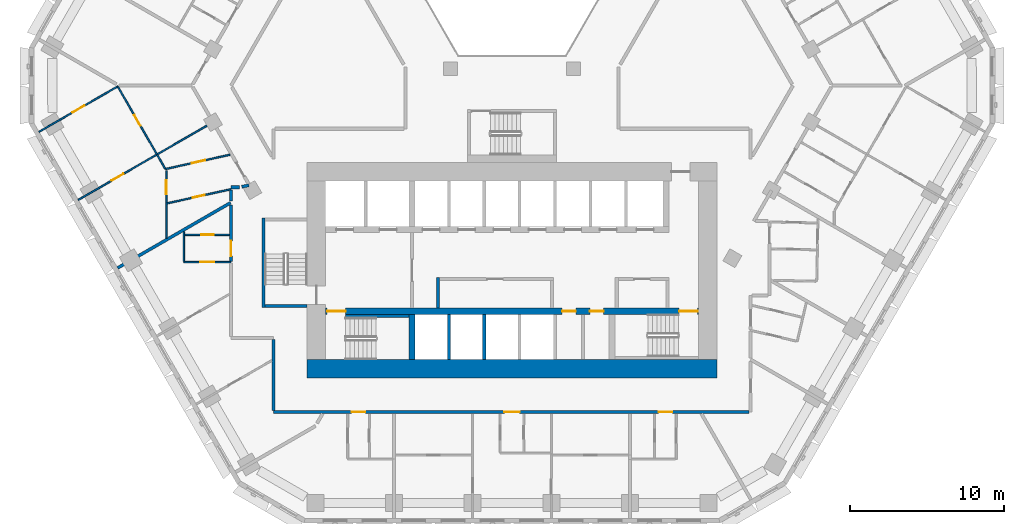
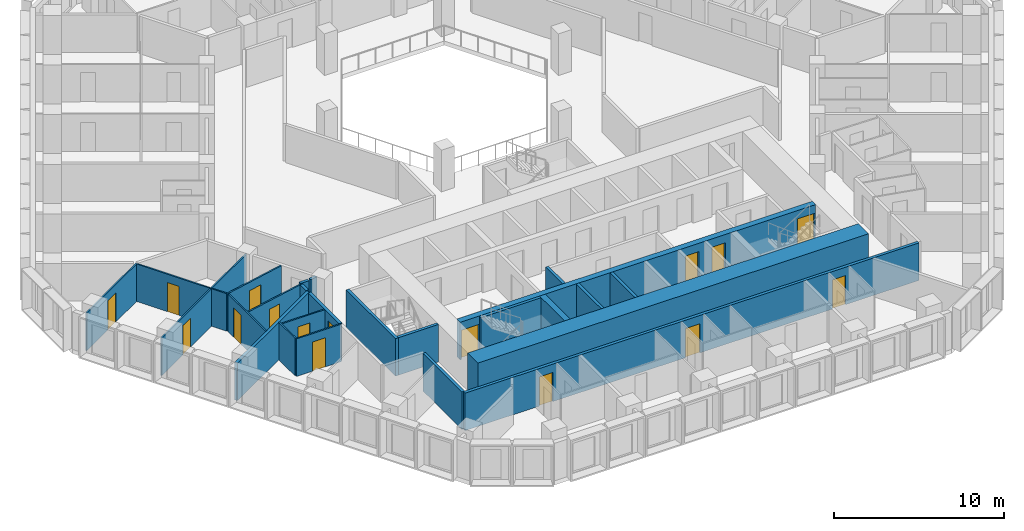
# One storey, part 4 of 21: 26 walls, 16 doors, 16 openings.
"""IFC4 building model written with IfcOpenShell, lengths in metres."""

from ifc_helpers import new_model, si_unit, direction, frame, frame_2d, origin, place, context, subcontext, project, spatial, rectangle, extrude, material, layer, layer_set, type_object, element, fill, save


model = new_model("IFC4")

# Units and contexts
model_context = context("Model", 3, precision=1e-05, world=origin(), true_north=direction((0.0, 1.0)))
body_context = subcontext(model_context, "Body", "Model", "MODEL_VIEW")
ifc_project = project(units=[si_unit("LENGTHUNIT", "METRE"), si_unit("AREAUNIT", "SQUARE_METRE"), si_unit("VOLUMEUNIT", "CUBIC_METRE"), si_unit("PLANEANGLEUNIT", "RADIAN"), si_unit("MASSUNIT", "GRAM", prefix="KILO")], contexts=[model_context])

# Site, building, storey
site_placement = place(None, origin())
site = spatial("IfcSite", under=ifc_project, at=site_placement, CompositionType="ELEMENT")
building_placement = place(site_placement, origin())
building = spatial("IfcBuilding", under=site, at=building_placement, Name="Beryl Residences", CompositionType="ELEMENT")
storey_placement = place(building_placement, frame((0.0, 0.0, 53.39990234375)))
storey = spatial("IfcBuildingStorey", under=building, at=storey_placement, Name="L16", CompositionType="ELEMENT", Elevation=53.39990234375)

# Wall, opening, door
ifc_material_1 = material(Name="Gypsum board partition on steel studs", Category="steel")
ifc_layer_1 = layer(ifc_material_1, 0.10009765625)
ifc_layer_set_1 = layer_set([ifc_layer_1], Name="PT1 partition 100 mm gypsum board on steel studs")
wall_type_1 = type_object("IfcWallType", Name="PT1 partition 100 mm gypsum board on steel studs", PredefinedType="PARTITIONING", material=ifc_layer_set_1)
wall_1_placement = place(storey_placement, frame((-25.580078125, -0.093994140625, 0.0), z_axis=(0.0, 0.0, 1.0), x_axis=(0.500093258202, -0.865971554441, 0.0)))
wall_1 = element("IfcWall", 1, at=wall_1_placement, inside=storey, type_object=wall_type_1, Name="Wall PT1 L16 004", PredefinedType="PARTITIONING", context=body_context, shape_type="SweptSolid", body=[
    extrude(rectangle(XDim=5.05322265625, YDim=0.10009765625, at=frame_2d((2.526611328125, 0.0))), origin(), (0.0, 0.0, 1.0), 2.7001953125),
])
opening_1_placement = place(wall_1_placement, frame((2.10205078125, 0.0, 0.0)))
opening_1 = element("IfcOpeningElement", 2, at=opening_1_placement, cuts=wall_1, Name="Opening D0217", PredefinedType="OPENING", context=body_context, shape_type="SweptSolid", body=[
    extrude(rectangle(XDim=0.800048828125, YDim=2.10009765625, at=frame_2d((0.39990234375, 1.050048828125))), frame((0.0, 0.06005859375, 0.0), z_axis=(0.0, -1.0, 0.0), x_axis=(1.0, 0.0, 0.0)), (0.0, 0.0, 1.0), 0.1201171875),
])
ifc_material_2 = material(Name="Timber door leaf", Category="wood")
door_type_1 = type_object("IfcDoorType", Name="D3 bathroom door 800 x 2100 mm", OperationType="SINGLE_SWING_LEFT", PredefinedType="DOOR", material=ifc_material_2)
door_1_placement = place(opening_1_placement, origin())
door_1 = element("IfcDoor", 3, at=door_1_placement, inside=storey, type_object=door_type_1, Name="Door D0217 L16 001", OperationType="SINGLE_SWING_LEFT", OverallHeight=2.10009765625, OverallWidth=0.800048828125, PredefinedType="DOOR", context=body_context, shape_type="SweptSolid", body=[
    extrude(rectangle(XDim=0.800048828125, YDim=2.10009765625, at=frame_2d((0.39990234375, 1.050048828125))), frame((0.0, 0.02490234375, 0.0), z_axis=(0.0, -1.0, 0.0), x_axis=(1.0, 0.0, 0.0)), (0.0, 0.0, 1.0), 0.050048828125),
])
fill(opening_1, door_1)

# Wall
wall_2_placement = place(storey_placement, frame((-21.31005859375, -9.47412109375, 0.0), z_axis=(0.0, 0.0, 1.0), x_axis=(0.0, -1.0, 0.0)))
element("IfcWall", 4, at=wall_2_placement, inside=storey, type_object=wall_type_1, Name="Wall PT1 L16 012", PredefinedType="PARTITIONING", context=body_context, shape_type="SweptSolid", body=[
    extrude(rectangle(XDim=1.931884765625, YDim=0.10009765625, at=frame_2d((0.9658203125, 0.0))), origin(), (0.0, 0.0, 1.0), 2.7001953125),
])

# Wall, opening, door
wall_3_placement = place(storey_placement, frame((-21.260009765625, -9.68896484375, 0.0), z_axis=(0.0, 0.0, 1.0), x_axis=(1.0, 0.0, 0.0)))
wall_3 = element("IfcWall", 5, at=wall_3_placement, inside=storey, type_object=wall_type_1, Name="Wall PT1 L16 028", PredefinedType="PARTITIONING", context=body_context, shape_type="SweptSolid", body=[
    extrude(rectangle(XDim=2.909912109375, YDim=0.10009765625, at=frame_2d((1.455078125, 0.0))), origin(), (0.0, 0.0, 1.0), 2.7001953125),
])
opening_2_placement = place(wall_3_placement, frame((1.080078125, 0.0, 0.0)))
opening_2 = element("IfcOpeningElement", 6, at=opening_2_placement, cuts=wall_3, Name="Opening D0220", PredefinedType="OPENING", context=body_context, shape_type="SweptSolid", body=[
    extrude(rectangle(XDim=0.800048828125, YDim=2.10009765625, at=frame_2d((0.39990234375, 1.050048828125))), frame((0.0, 0.06005859375, 0.0), z_axis=(0.0, -1.0, 0.0), x_axis=(1.0, 0.0, 0.0)), (0.0, 0.0, 1.0), 0.1201171875),
])
door_2_placement = place(opening_2_placement, origin())
door_2 = element("IfcDoor", 7, at=door_2_placement, inside=storey, type_object=door_type_1, Name="Door D0220 L16 001", OperationType="SINGLE_SWING_RIGHT", OverallHeight=2.10009765625, OverallWidth=0.800048828125, PredefinedType="DOOR", context=body_context, shape_type="SweptSolid", body=[
    extrude(rectangle(XDim=0.800048828125, YDim=2.10009765625, at=frame_2d((0.39990234375, 1.050048828125))), frame((0.0, 0.02490234375, 0.0), z_axis=(0.0, -1.0, 0.0), x_axis=(1.0, 0.0, 0.0)), (0.0, 0.0, 1.0), 0.050048828125),
])
fill(opening_2, door_2)

wall_4_placement = place(storey_placement, frame((-21.30908203125, -11.45703125, 0.0), z_axis=(0.0, 0.0, 1.0), x_axis=(1.0, 0.0, 0.0)))
wall_4 = element("IfcWall", 8, at=wall_4_placement, inside=storey, type_object=wall_type_1, Name="Wall PT1 L16 029", PredefinedType="PARTITIONING", context=body_context, shape_type="SweptSolid", body=[
    extrude(rectangle(XDim=3.05908203125, YDim=0.10009765625, at=frame_2d((1.529541015625, 0.0))), origin(), (0.0, 0.0, 1.0), 2.7001953125),
])
opening_3_placement = place(wall_4_placement, frame((1.0791015625, 0.0, 0.0)))
opening_3 = element("IfcOpeningElement", 9, at=opening_3_placement, cuts=wall_4, Name="Opening D0219", PredefinedType="OPENING", context=body_context, shape_type="SweptSolid", body=[
    extrude(rectangle(XDim=0.89990234375, YDim=2.10009765625, at=frame_2d((0.449951171875, 1.050048828125))), frame((0.0, 0.06005859375, 0.0), z_axis=(0.0, -1.0, 0.0), x_axis=(1.0, 0.0, 0.0)), (0.0, 0.0, 1.0), 0.1201171875),
])
ifc_material_3 = material(Name="Timber door leaf", Category="wood")
door_type_2 = type_object("IfcDoorType", Name="D2 room door 900 x 2100 mm", OperationType="SINGLE_SWING_LEFT", PredefinedType="DOOR", material=ifc_material_3)
door_3_placement = place(opening_3_placement, origin())
door_3 = element("IfcDoor", 10, at=door_3_placement, inside=storey, type_object=door_type_2, Name="Door D0219 L16 001", OperationType="SINGLE_SWING_LEFT", OverallHeight=2.10009765625, OverallWidth=0.89990234375, PredefinedType="DOOR", context=body_context, shape_type="SweptSolid", body=[
    extrude(rectangle(XDim=0.89990234375, YDim=2.10009765625, at=frame_2d((0.449951171875, 1.050048828125))), frame((0.0, 0.02490234375, 0.0), z_axis=(0.0, -1.0, 0.0), x_axis=(1.0, 0.0, 0.0)), (0.0, 0.0, 1.0), 0.050048828125),
])
fill(opening_3, door_3)

wall_5_placement = place(storey_placement, frame((-22.449951171875, -9.90087890625, 0.0), z_axis=(0.0, 0.0, 1.0), x_axis=(0.0, 1.0, 0.0)))
wall_5 = element("IfcWall", 11, at=wall_5_placement, inside=storey, type_object=wall_type_1, Name="Wall PT1 L16 060", PredefinedType="PARTITIONING", context=body_context, shape_type="SweptSolid", body=[
    extrude(rectangle(XDim=4.384765625, YDim=0.10009765625, at=frame_2d((2.1923828125, 0.0))), origin(), (0.0, 0.0, 1.0), 2.7001953125),
])
opening_4_placement = place(wall_5_placement, frame((2.85498046875, 0.0, 0.0)))
opening_4 = element("IfcOpeningElement", 12, at=opening_4_placement, cuts=wall_5, Name="Opening D0214", PredefinedType="OPENING", context=body_context, shape_type="SweptSolid", body=[
    extrude(rectangle(XDim=0.89990234375, YDim=2.10009765625, at=frame_2d((0.449951171875, 1.050048828125))), frame((0.0, 0.06005859375, 0.0), z_axis=(0.0, -1.0, 0.0), x_axis=(1.0, 0.0, 0.0)), (0.0, 0.0, 1.0), 0.1201171875),
])
door_4_placement = place(opening_4_placement, origin())
door_4 = element("IfcDoor", 13, at=door_4_placement, inside=storey, type_object=door_type_2, Name="Door D0214 L16 001", OperationType="SINGLE_SWING_RIGHT", OverallHeight=2.10009765625, OverallWidth=0.89990234375, PredefinedType="DOOR", context=body_context, shape_type="SweptSolid", body=[
    extrude(rectangle(XDim=0.89990234375, YDim=2.10009765625, at=frame_2d((0.449951171875, 1.050048828125))), frame((0.0, 0.02490234375, 0.0), z_axis=(0.0, -1.0, 0.0), x_axis=(1.0, 0.0, 0.0)), (0.0, 0.0, 1.0), 0.050048828125),
])
fill(opening_4, door_4)

wall_6_placement = place(storey_placement, frame((-22.508056640625, -5.416015625, 0.0), z_axis=(0.0, 0.0, 1.0), x_axis=(0.976332464286, 0.216275100696, 0.0)))
wall_6 = element("IfcWall", 14, at=wall_6_placement, inside=storey, type_object=wall_type_1, Name="Wall PT1 L16 062", PredefinedType="PARTITIONING", context=body_context, shape_type="SweptSolid", body=[
    extrude(rectangle(XDim=4.2998046875, YDim=0.10009765625, at=frame_2d((2.14990234375, 0.0))), origin(), (0.0, 0.0, 1.0), 2.7001953125),
])
opening_5_placement = place(wall_6_placement, frame((1.751953125, 0.0, 0.0)))
opening_5 = element("IfcOpeningElement", 15, at=opening_5_placement, cuts=wall_6, Name="Opening D0212", PredefinedType="OPENING", context=body_context, shape_type="SweptSolid", body=[
    extrude(rectangle(XDim=0.89990234375, YDim=2.10009765625, at=frame_2d((0.449951171875, 1.050048828125))), frame((0.0, 0.06005859375, 0.0), z_axis=(0.0, -1.0, 0.0), x_axis=(1.0, 0.0, 0.0)), (0.0, 0.0, 1.0), 0.1201171875),
])
door_5_placement = place(opening_5_placement, origin())
door_5 = element("IfcDoor", 16, at=door_5_placement, inside=storey, type_object=door_type_2, Name="Door D0212 L16 001", OperationType="SINGLE_SWING_RIGHT", OverallHeight=2.10009765625, OverallWidth=0.89990234375, PredefinedType="DOOR", context=body_context, shape_type="SweptSolid", body=[
    extrude(rectangle(XDim=0.89990234375, YDim=2.10009765625, at=frame_2d((0.449951171875, 1.050048828125))), frame((0.0, 0.02490234375, 0.0), z_axis=(0.0, -1.0, 0.0), x_axis=(1.0, 0.0, 0.0)), (0.0, 0.0, 1.0), 0.050048828125),
])
fill(opening_5, door_5)

wall_7_placement = place(storey_placement, frame((-22.39990234375, -7.64501953125, 0.0), z_axis=(0.0, 0.0, 1.0), x_axis=(0.97634896822, 0.216200583385, 0.0)))
wall_7 = element("IfcWall", 17, at=wall_7_placement, inside=storey, type_object=wall_type_1, Name="Wall PT1 L16 063", PredefinedType="PARTITIONING", context=body_context, shape_type="SweptSolid", body=[
    extrude(rectangle(XDim=4.25048828125, YDim=0.10009765625, at=frame_2d((2.125244140625, 0.0))), origin(), (0.0, 0.0, 1.0), 2.7001953125),
])
opening_6_placement = place(wall_7_placement, frame((1.699951171875, 0.0, 0.0)))
opening_6 = element("IfcOpeningElement", 18, at=opening_6_placement, cuts=wall_7, Name="Opening D0213", PredefinedType="OPENING", context=body_context, shape_type="SweptSolid", body=[
    extrude(rectangle(XDim=0.800048828125, YDim=2.10009765625, at=frame_2d((0.39990234375, 1.050048828125))), frame((0.0, 0.06005859375, 0.0), z_axis=(0.0, -1.0, 0.0), x_axis=(1.0, 0.0, 0.0)), (0.0, 0.0, 1.0), 0.1201171875),
])
door_6_placement = place(opening_6_placement, origin())
door_6 = element("IfcDoor", 19, at=door_6_placement, inside=storey, type_object=door_type_1, Name="Door D0213 L16 001", OperationType="SINGLE_SWING_LEFT", OverallHeight=2.10009765625, OverallWidth=0.800048828125, PredefinedType="DOOR", context=body_context, shape_type="SweptSolid", body=[
    extrude(rectangle(XDim=0.800048828125, YDim=2.10009765625, at=frame_2d((0.39990234375, 1.050048828125))), frame((0.0, 0.02490234375, 0.0), z_axis=(0.0, -1.0, 0.0), x_axis=(1.0, 0.0, 0.0)), (0.0, 0.0, 1.0), 0.050048828125),
])
fill(opening_6, door_6)

wall_8_placement = place(storey_placement, frame((-28.1630859375, -7.419921875, 0.0), z_axis=(0.0, 0.0, 1.0), x_axis=(0.866065245018, 0.499930986609, 0.0)))
wall_8 = element("IfcWall", 20, at=wall_8_placement, inside=storey, type_object=wall_type_1, Name="Wall PT1 L16 067", PredefinedType="PARTITIONING", context=body_context, shape_type="SweptSolid", body=[
    extrude(rectangle(XDim=9.99951171875, YDim=0.10009765625, at=frame_2d((4.999755859375, 0.0))), origin(), (0.0, 0.0, 1.0), 2.7001953125),
])
opening_7_placement = place(wall_8_placement, frame((2.5, 0.0, 0.0)))
opening_7 = element("IfcOpeningElement", 21, at=opening_7_placement, cuts=wall_8, Name="Opening D0215", PredefinedType="OPENING", context=body_context, shape_type="SweptSolid", body=[
    extrude(rectangle(XDim=0.89990234375, YDim=2.10009765625, at=frame_2d((0.449951171875, 1.050048828125))), frame((0.0, 0.06005859375, 0.0), z_axis=(0.0, -1.0, 0.0), x_axis=(1.0, 0.0, 0.0)), (0.0, 0.0, 1.0), 0.1201171875),
])
door_7_placement = place(opening_7_placement, origin())
door_7 = element("IfcDoor", 22, at=door_7_placement, inside=storey, type_object=door_type_2, Name="Door D0215 L16 001", OperationType="SINGLE_SWING_LEFT", OverallHeight=2.10009765625, OverallWidth=0.89990234375, PredefinedType="DOOR", context=body_context, shape_type="SweptSolid", body=[
    extrude(rectangle(XDim=0.89990234375, YDim=2.10009765625, at=frame_2d((0.449951171875, 1.050048828125))), frame((0.0, 0.02490234375, 0.0), z_axis=(0.0, -1.0, 0.0), x_axis=(1.0, 0.0, 0.0)), (0.0, 0.0, 1.0), 0.050048828125),
])
fill(opening_7, door_7)

wall_9_placement = place(storey_placement, frame((-30.715087890625, -3.0, 0.0), z_axis=(0.0, 0.0, 1.0), x_axis=(0.866113484451, 0.499847408768, 0.0)))
wall_9 = element("IfcWall", 23, at=wall_9_placement, inside=storey, type_object=wall_type_1, Name="Wall PT1 L16 068", PredefinedType="PARTITIONING", context=body_context, shape_type="SweptSolid", body=[
    extrude(rectangle(XDim=5.919677734375, YDim=0.10009765625, at=frame_2d((2.9599609375, 0.0))), origin(), (0.0, 0.0, 1.0), 2.7001953125),
])
opening_8_placement = place(wall_9_placement, frame((2.510009765625, 0.0, 0.0)))
opening_8 = element("IfcOpeningElement", 24, at=opening_8_placement, cuts=wall_9, Name="Opening D0216", PredefinedType="OPENING", context=body_context, shape_type="SweptSolid", body=[
    extrude(rectangle(XDim=0.89990234375, YDim=2.10009765625, at=frame_2d((0.449951171875, 1.050048828125))), frame((0.0, 0.06005859375, 0.0), z_axis=(0.0, -1.0, 0.0), x_axis=(1.0, 0.0, 0.0)), (0.0, 0.0, 1.0), 0.1201171875),
])
door_8_placement = place(opening_8_placement, origin())
door_8 = element("IfcDoor", 25, at=door_8_placement, inside=storey, type_object=door_type_2, Name="Door D0216 L16 001", OperationType="SINGLE_SWING_RIGHT", OverallHeight=2.10009765625, OverallWidth=0.89990234375, PredefinedType="DOOR", context=body_context, shape_type="SweptSolid", body=[
    extrude(rectangle(XDim=0.89990234375, YDim=2.10009765625, at=frame_2d((0.449951171875, 1.050048828125))), frame((0.0, 0.02490234375, 0.0), z_axis=(0.0, -1.0, 0.0), x_axis=(1.0, 0.0, 0.0)), (0.0, 0.0, 1.0), 0.050048828125),
])
fill(opening_8, door_8)

# Walls
wall_10_placement = place(storey_placement, frame((-23.052978515625, -4.469970703125, 0.0), z_axis=(0.0, 0.0, 1.0), x_axis=(0.499629475903, -0.866239220313, 0.0)))
element("IfcWall", 26, at=wall_10_placement, inside=storey, type_object=wall_type_1, Name="Wall PT1 L16 075", PredefinedType="PARTITIONING", context=body_context, shape_type="SweptSolid", body=[
    extrude(rectangle(XDim=1.060791015625, YDim=0.10009765625, at=frame_2d((0.5302734375, 0.0))), origin(), (0.0, 0.0, 1.0), 2.7001953125),
])
ifc_material_4 = material(Name="Concrete masonry", Category="masonry")
ifc_layer_2 = layer(ifc_material_4, 0.199951171875)
ifc_layer_set_2 = layer_set([ifc_layer_2], Name="PT13 lobby wall 200 mm")
wall_type_2 = type_object("IfcWallType", Name="PT13 lobby wall 200 mm", PredefinedType="PARTITIONING", material=ifc_layer_set_2)
wall_11_placement = place(storey_placement, frame((-4.800048828125, -14.449951171875, 0.0), z_axis=(0.0, 0.0, 1.0), x_axis=(0.0, 1.0, 0.0)))
element("IfcWall", 27, at=wall_11_placement, inside=storey, type_object=wall_type_2, Name="Lobby wall 07", PredefinedType="PARTITIONING", context=body_context, shape_type="SweptSolid", body=[
    extrude(rectangle(XDim=2.0, YDim=0.199951171875, at=frame_2d((1.0, 0.0))), origin(), (0.0, 0.0, 1.0), 2.7001953125),
])
ifc_material_5 = material(Name="Acoustic double stud gypsum board wall")
ifc_layer_3 = layer(ifc_material_5, 0.199951171875)
ifc_layer_set_3 = layer_set([ifc_layer_3], Name="PT3 party wall 200 mm acoustic double stud")
wall_type_3 = type_object("IfcWallType", Name="PT3 party wall 200 mm acoustic double stud", PredefinedType="PARTITIONING", material=ifc_layer_set_3)
wall_12_placement = place(storey_placement, frame((-17.547119140625, -6.570068359375, 0.0), z_axis=(0.0, 0.0, 1.0), x_axis=(0.97647747569, 0.215619432033, 0.0)))
element("IfcWall", 28, at=wall_12_placement, inside=storey, type_object=wall_type_3, Name="Wall PT3 L16 023", PredefinedType="PARTITIONING", context=body_context, shape_type="SweptSolid", body=[
    extrude(rectangle(XDim=0.473388671875, YDim=0.199951171875, at=frame_2d((0.23681640625, 0.0))), origin(), (0.0, 0.0, 1.0), 2.7001953125),
])
wall_13_placement = place(storey_placement, frame((-25.610107421875, -11.841064453125, 0.0), z_axis=(0.0, 0.0, 1.0), x_axis=(0.866019023803, 0.500011050288, 0.0)))
element("IfcWall", 29, at=wall_13_placement, inside=storey, type_object=wall_type_3, Name="Wall PT3 L16 028", PredefinedType="PARTITIONING", context=body_context, shape_type="SweptSolid", body=[
    extrude(rectangle(XDim=8.469970703125, YDim=0.199951171875, at=frame_2d((4.23486328125, 0.0))), origin(), (0.0, 0.0, 1.0), 2.7001953125),
])
ifc_material_6 = material(Name="Double stud gypsum board wall")
ifc_layer_4 = layer(ifc_material_6, 0.199951171875)
ifc_layer_set_4 = layer_set([ifc_layer_4], Name="PT4 corridor wall 200 mm double stud")
wall_type_4 = type_object("IfcWallType", Name="PT4 corridor wall 200 mm double stud", PredefinedType="PARTITIONING", material=ifc_layer_set_4)
wall_14_placement = place(storey_placement, frame((-15.5, -16.5, 0.0), z_axis=(0.0, 0.0, 1.0), x_axis=(0.0, -1.0, 0.0)))
element("IfcWall", 30, at=wall_14_placement, inside=storey, type_object=wall_type_4, Name="Wall PT4 L16 007", PredefinedType="PARTITIONING", context=body_context, shape_type="SweptSolid", body=[
    extrude(rectangle(XDim=4.59912109375, YDim=0.199951171875, at=frame_2d((2.299560546875, 0.0))), origin(), (0.0, 0.0, 1.0), 2.7001953125),
])
wall_15_placement = place(storey_placement, frame((-18.25, -6.60009765625, 0.0), z_axis=(0.0, 0.0, 1.0), x_axis=(1.0, 0.0, 0.0)))
element("IfcWall", 31, at=wall_15_placement, inside=storey, type_object=wall_type_4, Name="Wall PT4 L16 010", PredefinedType="PARTITIONING", context=body_context, shape_type="SweptSolid", body=[
    extrude(rectangle(XDim=0.568115234375, YDim=0.199951171875, at=frame_2d((0.2841796875, 0.0))), origin(), (0.0, 0.0, 1.0), 2.7001953125),
])

# Wall, openings, doors
wall_16_placement = place(storey_placement, frame((-15.4990234375, -21.199951171875, 0.0), z_axis=(0.0, 0.0, 1.0), x_axis=(1.0, 0.0, 0.0)))
wall_16 = element("IfcWall", 32, at=wall_16_placement, inside=storey, type_object=wall_type_4, Name="Wall PT4 L16 014", PredefinedType="PARTITIONING", context=body_context, shape_type="SweptSolid", body=[
    extrude(rectangle(XDim=30.89794921875, YDim=0.199951171875, at=frame_2d((15.448974609375, 0.0))), origin(), (0.0, 0.0, 1.0), 2.7001953125),
])
opening_9_placement = place(wall_16_placement, frame((5.083984375, 0.0, 0.0)))
opening_9 = element("IfcOpeningElement", 33, at=opening_9_placement, cuts=wall_16, Name="Opening D0223", PredefinedType="OPENING", context=body_context, shape_type="SweptSolid", body=[
    extrude(rectangle(XDim=0.89990234375, YDim=2.10009765625, at=frame_2d((0.449951171875, 1.050048828125))), frame((0.0, 0.10986328125, 0.0), z_axis=(0.0, -1.0, 0.0), x_axis=(1.0, 0.0, 0.0)), (0.0, 0.0, 1.0), 0.219970703125),
])
opening_10_placement = place(wall_16_placement, frame((15.0, 0.0, 0.0)))
opening_10 = element("IfcOpeningElement", 34, at=opening_10_placement, cuts=wall_16, Name="Opening D0226", PredefinedType="OPENING", context=body_context, shape_type="SweptSolid", body=[
    extrude(rectangle(XDim=1.0, YDim=2.10009765625, at=frame_2d((0.5, 1.050048828125))), frame((0.0, 0.10986328125, 0.0), z_axis=(0.0, -1.0, 0.0), x_axis=(1.0, 0.0, 0.0)), (0.0, 0.0, 1.0), 0.219970703125),
])
opening_11_placement = place(wall_16_placement, frame((25.014892578125, 0.0, 0.0)))
opening_11 = element("IfcOpeningElement", 35, at=opening_11_placement, cuts=wall_16, Name="Opening D0233", PredefinedType="OPENING", context=body_context, shape_type="SweptSolid", body=[
    extrude(rectangle(XDim=0.89990234375, YDim=2.10009765625, at=frame_2d((0.449951171875, 1.050048828125))), frame((0.0, 0.10986328125, 0.0), z_axis=(0.0, -1.0, 0.0), x_axis=(1.0, 0.0, 0.0)), (0.0, 0.0, 1.0), 0.219970703125),
])
ifc_material_7 = material(Name="Timber door leaf", Category="wood")
door_type_3 = type_object("IfcDoorType", Name="D1 flat entrance door 1000 x 2100 mm", OperationType="SINGLE_SWING_LEFT", PredefinedType="DOOR", material=ifc_material_7)
door_9_placement = place(opening_10_placement, origin())
door_9 = element("IfcDoor", 36, at=door_9_placement, inside=storey, type_object=door_type_3, Name="Door D0226 L16 001", OperationType="SINGLE_SWING_RIGHT", OverallHeight=2.10009765625, OverallWidth=1.0, PredefinedType="DOOR", context=body_context, shape_type="SweptSolid", body=[
    extrude(rectangle(XDim=1.0, YDim=2.10009765625, at=frame_2d((0.5, 1.050048828125))), frame((0.0, 0.02490234375, 0.0), z_axis=(0.0, -1.0, 0.0), x_axis=(1.0, 0.0, 0.0)), (0.0, 0.0, 1.0), 0.050048828125),
])
fill(opening_10, door_9)
ifc_material_8 = material(Name="Timber door leaf", Category="wood")
door_type_4 = type_object("IfcDoorType", Name="D11 flat entrance door 900 x 2100 mm", OperationType="SINGLE_SWING_LEFT", PredefinedType="DOOR", material=ifc_material_8)
door_10_placement = place(opening_9_placement, origin())
door_10 = element("IfcDoor", 37, at=door_10_placement, inside=storey, type_object=door_type_4, Name="Door D0223 L16 001", OperationType="SINGLE_SWING_LEFT", OverallHeight=2.10009765625, OverallWidth=0.89990234375, PredefinedType="DOOR", context=body_context, shape_type="SweptSolid", body=[
    extrude(rectangle(XDim=0.89990234375, YDim=2.10009765625, at=frame_2d((0.449951171875, 1.050048828125))), frame((0.0, 0.02490234375, 0.0), z_axis=(0.0, -1.0, 0.0), x_axis=(1.0, 0.0, 0.0)), (0.0, 0.0, 1.0), 0.050048828125),
])
fill(opening_9, door_10)
door_11_placement = place(opening_11_placement, origin())
door_11 = element("IfcDoor", 38, at=door_11_placement, inside=storey, type_object=door_type_4, Name="Door D0233 L16 001", OperationType="SINGLE_SWING_LEFT", OverallHeight=2.10009765625, OverallWidth=0.89990234375, PredefinedType="DOOR", context=body_context, shape_type="SweptSolid", body=[
    extrude(rectangle(XDim=0.89990234375, YDim=2.10009765625, at=frame_2d((0.449951171875, 1.050048828125))), frame((0.0, 0.02490234375, 0.0), z_axis=(0.0, -1.0, 0.0), x_axis=(1.0, 0.0, 0.0)), (0.0, 0.0, 1.0), 0.050048828125),
])
fill(opening_11, door_11)

# Wall, opening, door
wall_17_placement = place(storey_placement, frame((-18.25, -11.406982421875, 0.0), z_axis=(0.0, 0.0, 1.0), x_axis=(0.0, 1.0, 0.0)))
wall_17 = element("IfcWall", 39, at=wall_17_placement, inside=storey, type_object=wall_type_4, Name="Wall PT4 L16 034", PredefinedType="PARTITIONING", context=body_context, shape_type="SweptSolid", body=[
    extrude(rectangle(XDim=3.6650390625, YDim=0.199951171875, at=frame_2d((1.83251953125, 0.0))), origin(), (0.0, 0.0, 1.0), 2.7001953125),
])
opening_12_placement = place(wall_17_placement, frame((0.333984375, 0.0, 0.0)))
opening_12 = element("IfcOpeningElement", 40, at=opening_12_placement, cuts=wall_17, Name="Opening D0218", PredefinedType="OPENING", context=body_context, shape_type="SweptSolid", body=[
    extrude(rectangle(XDim=1.0, YDim=2.10009765625, at=frame_2d((0.5, 1.050048828125))), frame((0.0, 0.10986328125, 0.0), z_axis=(0.0, -1.0, 0.0), x_axis=(1.0, 0.0, 0.0)), (0.0, 0.0, 1.0), 0.219970703125),
])
door_12_placement = place(opening_12_placement, origin())
door_12 = element("IfcDoor", 41, at=door_12_placement, inside=storey, type_object=door_type_3, Name="Door D0218 L16 001", OperationType="SINGLE_SWING_RIGHT", OverallHeight=2.10009765625, OverallWidth=1.0, PredefinedType="DOOR", context=body_context, shape_type="SweptSolid", body=[
    extrude(rectangle(XDim=1.0, YDim=2.10009765625, at=frame_2d((0.5, 1.050048828125))), frame((0.0, 0.02490234375, 0.0), z_axis=(0.0, -1.0, 0.0), x_axis=(1.0, 0.0, 0.0)), (0.0, 0.0, 1.0), 0.050048828125),
])
fill(opening_12, door_12)

# Walls
wall_18_placement = place(storey_placement, frame((-18.25, -7.47607421875, 0.0), z_axis=(0.0, 0.0, 1.0), x_axis=(0.0, 1.0, 0.0)))
element("IfcWall", 42, at=wall_18_placement, inside=storey, type_object=wall_type_4, Name="Wall PT4 L16 035", PredefinedType="PARTITIONING", context=body_context, shape_type="SweptSolid", body=[
    extrude(rectangle(XDim=0.698974609375, YDim=0.199951171875, at=frame_2d((0.349609375, 0.0))), origin(), (0.0, 0.0, 1.0), 2.7001953125),
])
ifc_material_9 = material(Name="Concrete C40/50", Category="concrete")
ifc_layer_5 = layer(ifc_material_9, 0.199951171875)
ifc_layer_set_5 = layer_set([ifc_layer_5], Name="PT5 stair enclosure wall 200 mm reinforced concrete C40/50")
wall_type_5 = type_object("IfcWallType", Name="PT5 stair enclosure wall 200 mm reinforced concrete C40/50", PredefinedType="SOLIDWALL", material=ifc_layer_set_5)
wall_19_placement = place(storey_placement, frame((-16.14990234375, -14.39990234375, 0.0), z_axis=(0.0, 0.0, 1.0), x_axis=(0.0, 1.0, 0.0)))
element("IfcWall", 43, at=wall_19_placement, inside=storey, type_object=wall_type_5, Name="Stair wall 01", PredefinedType="SOLIDWALL", context=body_context, shape_type="SweptSolid", body=[
    extrude(rectangle(XDim=5.7998046875, YDim=0.199951171875, at=frame_2d((2.89990234375, 0.0))), origin(), (0.0, 0.0, 1.0), 2.7001953125),
])
wall_20_placement = place(storey_placement, frame((-16.050048828125, -14.300048828125, 0.0), z_axis=(0.0, 0.0, 1.0), x_axis=(1.0, 0.0, 0.0)))
element("IfcWall", 44, at=wall_20_placement, inside=storey, type_object=wall_type_5, Name="Stair wall 02", PredefinedType="SOLIDWALL", context=body_context, shape_type="SweptSolid", body=[
    extrude(rectangle(XDim=2.75, YDim=0.199951171875, at=frame_2d((1.375, 0.0))), origin(), (0.0, 0.0, 1.0), 2.7001953125),
])
wall_21_placement = place(storey_placement, frame((-10.800048828125, -14.949951171875, 0.0), z_axis=(0.0, 0.0, 1.0), x_axis=(1.0, 0.0, 0.0)))
element("IfcWall", 45, at=wall_21_placement, inside=storey, type_object=wall_type_5, Name="Stair wall 04", PredefinedType="SOLIDWALL", context=body_context, shape_type="SweptSolid", body=[
    extrude(rectangle(XDim=4.10009765625, YDim=0.199951171875, at=frame_2d((2.050048828125, 0.0))), origin(), (0.0, 0.0, 1.0), 2.7001953125),
])
ifc_material_10 = material(Name="Concrete C40/50", Category="concrete")
ifc_layer_6 = layer(ifc_material_10, 0.199951171875)
ifc_layer_set_6 = layer_set([ifc_layer_6], Name="PT6 lift shaft wall 200 mm reinforced concrete C40/50")
wall_type_6 = type_object("IfcWallType", Name="PT6 lift shaft wall 200 mm reinforced concrete C40/50", PredefinedType="SOLIDWALL", material=ifc_layer_set_6)
for number, where, z_axis, x_axis, name in (
    (46, (-4.10009765625, -17.800048828125, 0.0), (0.0, 0.0, 1.0), (0.0, 1.0, 0.0), "Lift shaft wall 09"),
    (47, (-1.800048828125, -17.800048828125, 0.0), (0.0, 0.0, 1.0), (0.0, 1.0, 0.0), "Lift shaft wall 11"),
):
    element("IfcWall", number, at=place(storey_placement, frame(where, z_axis=z_axis, x_axis=x_axis)), inside=storey, type_object=wall_type_6, Name=name, PredefinedType="SOLIDWALL", context=body_context, shape_type="SweptSolid", body=[
        extrude(rectangle(XDim=2.949951171875, YDim=0.199951171875, at=frame_2d((1.47509765625, 0.0))), origin(), (0.0, 0.0, 1.0), 2.7001953125),
    ])
ifc_material_11 = material(Name="Concrete C80/95", Category="concrete")
ifc_layer_7 = layer(ifc_material_11, 1.199951171875)
ifc_layer_set_7 = layer_set([ifc_layer_7], Name="SW1 core outer wall 1200 mm C80/95")
wall_type_7 = type_object("IfcWallType", Name="SW1 core outer wall 1200 mm C80/95", PredefinedType="SHEAR", material=ifc_layer_set_7)
wall_22_placement = place(storey_placement, frame((-13.300048828125, -18.39990234375, 0.0), z_axis=(0.0, 0.0, 1.0), x_axis=(1.0, 0.0, 0.0)))
element("IfcWall", 48, at=wall_22_placement, inside=storey, type_object=wall_type_7, Name="Core wall S L16", PredefinedType="SHEAR", context=body_context, shape_type="SweptSolid", body=[
    extrude(rectangle(XDim=26.60009765625, YDim=1.199951171875, at=frame_2d((13.300048828125, 0.0))), origin(), (0.0, 0.0, 1.0), 2.7001953125),
])

# Wall, openings, doors
ifc_material_12 = material(Name="Concrete C80/95", Category="concrete")
ifc_layer_8 = layer(ifc_material_12, 0.39990234375)
ifc_layer_set_8 = layer_set([ifc_layer_8], Name="SW6 core internal wall 400 mm C80/95")
wall_type_8 = type_object("IfcWallType", Name="SW6 core internal wall 400 mm C80/95", PredefinedType="SHEAR", material=ifc_layer_set_8)
wall_23_placement = place(storey_placement, frame((-12.10009765625, -14.64990234375, 0.0), z_axis=(0.0, 0.0, 1.0), x_axis=(1.0, 0.0, 0.0)))
wall_23 = element("IfcWall", 49, at=wall_23_placement, inside=storey, type_object=wall_type_8, Name="Core wall SP1 L16", PredefinedType="SHEAR", context=body_context, shape_type="SweptSolid", body=[
    extrude(rectangle(XDim=24.2001953125, YDim=0.39990234375, at=frame_2d((12.10009765625, 0.0))), origin(), (0.0, 0.0, 1.0), 2.7001953125),
])
opening_13_placement = place(wall_23_placement, frame((1.300048828125, 0.0, 0.0), z_axis=(0.0, 0.0, 1.0), x_axis=(-1.0, 0.0, 0.0)))
opening_13 = element("IfcOpeningElement", 50, at=opening_13_placement, cuts=wall_23, Name="Opening SD-1", PredefinedType="OPENING", context=body_context, shape_type="SweptSolid", body=[
    extrude(rectangle(XDim=1.199951171875, YDim=2.10009765625, at=frame_2d((0.60009765625, 1.050048828125))), frame((0.0, 0.2099609375, 0.0), z_axis=(0.0, -1.0, 0.0), x_axis=(1.0, 0.0, 0.0)), (0.0, 0.0, 1.0), 0.419921875),
])
opening_14_placement = place(wall_23_placement, frame((24.14990234375, 0.0, 0.0), z_axis=(0.0, 0.0, 1.0), x_axis=(-1.0, 0.0, 0.0)))
opening_14 = element("IfcOpeningElement", 51, at=opening_14_placement, cuts=wall_23, Name="Opening SD-3", PredefinedType="OPENING", context=body_context, shape_type="SweptSolid", body=[
    extrude(rectangle(XDim=1.199951171875, YDim=2.10009765625, at=frame_2d((0.60009765625, 1.050048828125))), frame((0.0, 0.2099609375, 0.0), z_axis=(0.0, -1.0, 0.0), x_axis=(1.0, 0.0, 0.0)), (0.0, 0.0, 1.0), 0.419921875),
])
opening_15_placement = place(wall_23_placement, frame((16.25, 0.0, 0.0), z_axis=(0.0, 0.0, 1.0), x_axis=(-1.0, 0.0, 0.0)))
opening_15 = element("IfcOpeningElement", 52, at=opening_15_placement, cuts=wall_23, Name="Opening CD-D-S1-900", PredefinedType="OPENING", context=body_context, shape_type="SweptSolid", body=[
    extrude(rectangle(XDim=0.89990234375, YDim=2.10009765625, at=frame_2d((0.449951171875, 1.050048828125))), frame((0.0, 0.2099609375, 0.0), z_axis=(0.0, -1.0, 0.0), x_axis=(1.0, 0.0, 0.0)), (0.0, 0.0, 1.0), 0.419921875),
])
opening_16_placement = place(wall_23_placement, frame((18.0498046875, 0.0, 0.0), z_axis=(0.0, 0.0, 1.0), x_axis=(-1.0, 0.0, 0.0)))
opening_16 = element("IfcOpeningElement", 53, at=opening_16_placement, cuts=wall_23, Name="Opening CD-D-S2-900", PredefinedType="OPENING", context=body_context, shape_type="SweptSolid", body=[
    extrude(rectangle(XDim=0.89990234375, YDim=2.10009765625, at=frame_2d((0.449951171875, 1.050048828125))), frame((0.0, 0.2099609375, 0.0), z_axis=(0.0, -1.0, 0.0), x_axis=(1.0, 0.0, 0.0)), (0.0, 0.0, 1.0), 0.419921875),
])
ifc_material_13 = material(Name="Steel door leaf in steel frame", Category="steel")
door_type_5 = type_object("IfcDoorType", Name="D4 stair door 1200 x 2100 mm", OperationType="SINGLE_SWING_LEFT", PredefinedType="DOOR", material=ifc_material_13)
door_13_placement = place(opening_13_placement, origin())
door_13 = element("IfcDoor", 54, at=door_13_placement, inside=storey, type_object=door_type_5, Name="Door SD-1 L16 001", OperationType="SINGLE_SWING_RIGHT", OverallHeight=2.10009765625, OverallWidth=1.199951171875, PredefinedType="DOOR", context=body_context, shape_type="SweptSolid", body=[
    extrude(rectangle(XDim=1.199951171875, YDim=2.10009765625, at=frame_2d((0.60009765625, 1.050048828125))), frame((0.0, 0.02490234375, 0.0), z_axis=(0.0, -1.0, 0.0), x_axis=(1.0, 0.0, 0.0)), (0.0, 0.0, 1.0), 0.050048828125),
])
fill(opening_13, door_13)
door_14_placement = place(opening_14_placement, origin())
door_14 = element("IfcDoor", 55, at=door_14_placement, inside=storey, type_object=door_type_5, Name="Door SD-3 L16 001", OperationType="SINGLE_SWING_RIGHT", OverallHeight=2.10009765625, OverallWidth=1.199951171875, PredefinedType="DOOR", context=body_context, shape_type="SweptSolid", body=[
    extrude(rectangle(XDim=1.199951171875, YDim=2.10009765625, at=frame_2d((0.60009765625, 1.050048828125))), frame((0.0, 0.02490234375, 0.0), z_axis=(0.0, -1.0, 0.0), x_axis=(1.0, 0.0, 0.0)), (0.0, 0.0, 1.0), 0.050048828125),
])
fill(opening_14, door_14)
ifc_material_14 = material(Name="Steel door leaf in steel frame", Category="steel")
door_type_6 = type_object("IfcDoorType", Name="D6 service room door 900 x 2100 mm", OperationType="SINGLE_SWING_LEFT", PredefinedType="DOOR", material=ifc_material_14)
door_15_placement = place(opening_15_placement, origin())
door_15 = element("IfcDoor", 56, at=door_15_placement, inside=storey, type_object=door_type_6, Name="Door CD-D-S1-900 L16 001", OperationType="SINGLE_SWING_RIGHT", OverallHeight=2.10009765625, OverallWidth=0.89990234375, PredefinedType="DOOR", context=body_context, shape_type="SweptSolid", body=[
    extrude(rectangle(XDim=0.89990234375, YDim=2.10009765625, at=frame_2d((0.449951171875, 1.050048828125))), frame((0.0, 0.02490234375, 0.0), z_axis=(0.0, -1.0, 0.0), x_axis=(1.0, 0.0, 0.0)), (0.0, 0.0, 1.0), 0.050048828125),
])
fill(opening_15, door_15)
door_16_placement = place(opening_16_placement, origin())
door_16 = element("IfcDoor", 57, at=door_16_placement, inside=storey, type_object=door_type_6, Name="Door CD-D-S2-900 L16 001", OperationType="SINGLE_SWING_LEFT", OverallHeight=2.10009765625, OverallWidth=0.89990234375, PredefinedType="DOOR", context=body_context, shape_type="SweptSolid", body=[
    extrude(rectangle(XDim=0.89990234375, YDim=2.10009765625, at=frame_2d((0.449951171875, 1.050048828125))), frame((0.0, 0.02490234375, 0.0), z_axis=(0.0, -1.0, 0.0), x_axis=(1.0, 0.0, 0.0)), (0.0, 0.0, 1.0), 0.050048828125),
])
fill(opening_16, door_16)

# Wall
wall_24_placement = place(storey_placement, frame((-6.5, -17.800048828125, 0.0), z_axis=(0.0, 0.0, 1.0), x_axis=(0.0, 1.0, 0.0)))
element("IfcWall", 58, at=wall_24_placement, inside=storey, type_object=wall_type_8, Name="Core wall XS1 L16", PredefinedType="SHEAR", context=body_context, shape_type="SweptSolid", body=[
    extrude(rectangle(XDim=2.949951171875, YDim=0.39990234375, at=frame_2d((1.47509765625, 0.0))), origin(), (0.0, 0.0, 1.0), 2.7001953125),
])

save(model, "model.ifc")
